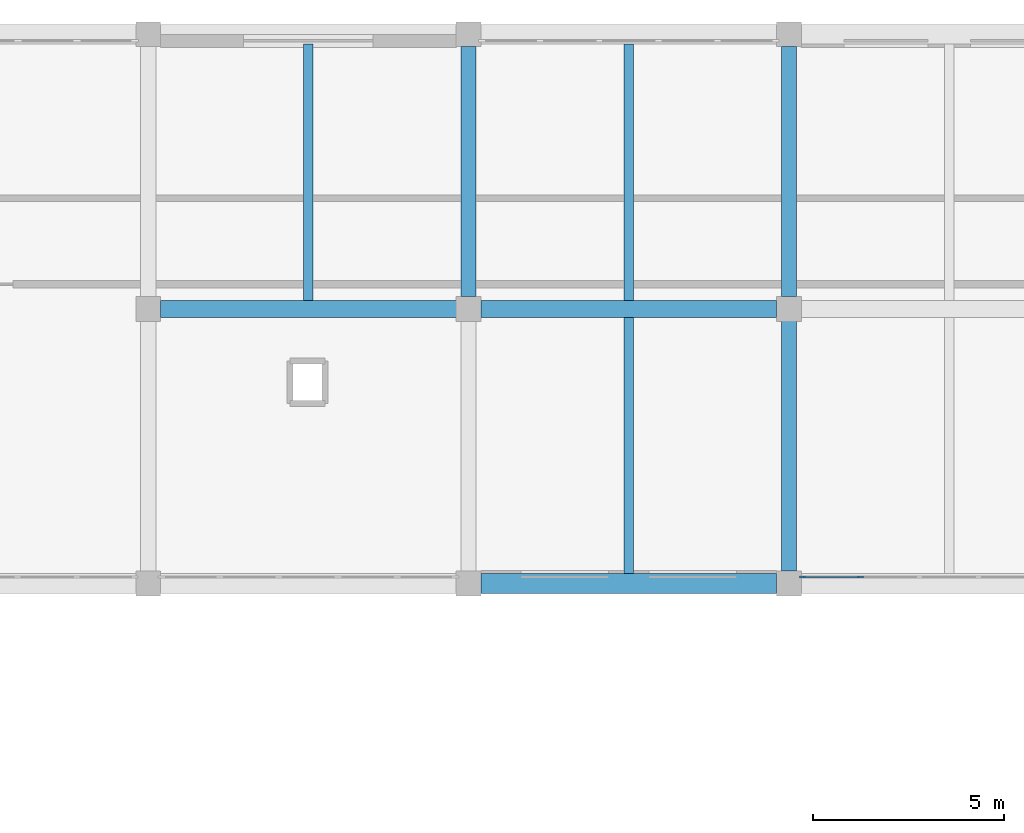
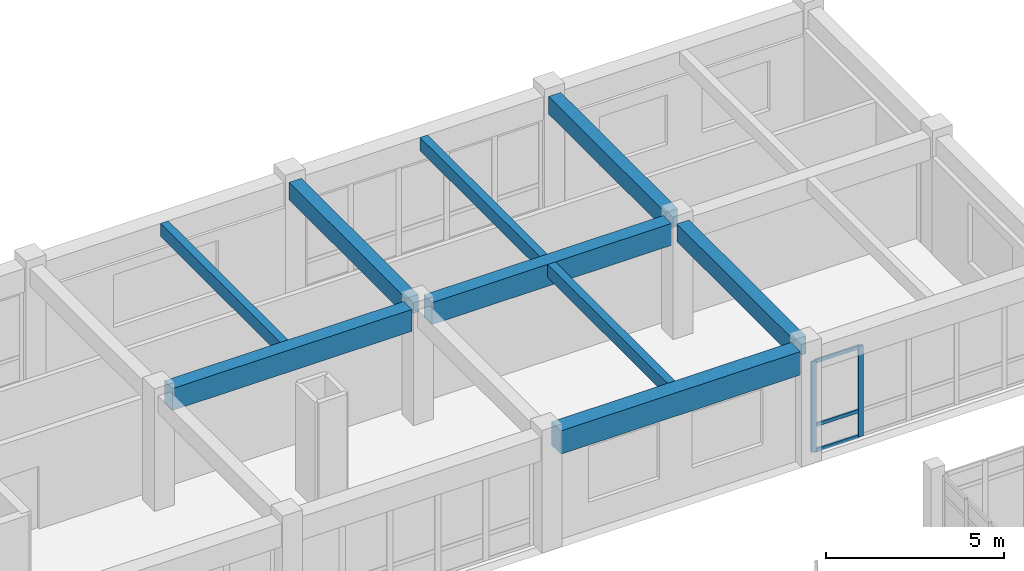
# One storey, part 78 of 147: 9 beams, 5 members, 1 element without a shape of its own.
"""IFC4 building model written with IfcOpenShell, lengths in metres."""

import ifcopenshell
import ifcopenshell.guid

model = None  # the IFC model being written
_history = None  # IfcOwnerHistory: only IFC2X3 demands one
_inside = {}  # id of a spatial element -> (the spatial element, [elements in it])
_under = {}  # id of a project, library or spatial element -> (it, [spatial elements below it])
_declared = {}  # id of a project -> (the project, [libraries it declares])
_typed = {}  # id of a type object -> (the type object, [elements of that type])
_made_of = {}  # id of a material, layer set ... -> (it, [elements and type objects made of it])


def new_model(schema):
    """Start an empty IFC model of exactly this schema.

    Asked for "IFC4X3", IfcOpenShell would pick the latest addendum, in which some entities
    have other attributes; the version numbers below select the first issue.
    IFC2X3 requires an IfcOwnerHistory on every rooted entity: one is made here for all.
    """
    global model, _history
    if schema == "IFC4X3":
        model = ifcopenshell.file(schema_version=(4, 3, 0, 0))
    else:
        model = ifcopenshell.file(schema=schema)
    _inside.clear()
    _under.clear()
    _declared.clear()
    _typed.clear()
    _made_of.clear()
    _history = None
    if model.schema == "IFC2X3":
        org = make("IfcOrganization", Name="unknown")
        user = make(
            "IfcPersonAndOrganization",
            ThePerson=make("IfcPerson", FamilyName="unknown"),
            TheOrganization=org,
        )
        app = make(
            "IfcApplication",
            ApplicationDeveloper=org,
            Version="unknown",
            ApplicationFullName="unknown",
            ApplicationIdentifier="unknown",
        )
        _history = make(
            "IfcOwnerHistory",
            OwningUser=user,
            OwningApplication=app,
            ChangeAction="ADDED",
            CreationDate=0,
        )
    return model


def make(cls, **values):
    """One entity of the class cls with the attributes given. An attribute that is None is left unset."""
    return model.create_entity(
        cls, **{name: value for name, value in values.items() if value is not None}
    )


def rooted(cls, **values):
    """An entity with a GlobalId (a new one), such as an element, a storey or a relation."""
    return make(cls, GlobalId=ifcopenshell.guid.new(), OwnerHistory=_history, **values)


def si_unit(unit_type, name, prefix=None):
    """IfcSIUnit, for example si_unit("LENGTHUNIT", "METRE", prefix="MILLI")."""
    return make("IfcSIUnit", UnitType=unit_type, Prefix=prefix, Name=name)


def assignment(units):
    """IfcUnitAssignment: the units of a project."""
    return None if units is None else make("IfcUnitAssignment", Units=units)


def point(xyz):
    """IfcCartesianPoint."""
    return None if xyz is None else make("IfcCartesianPoint", Coordinates=xyz)


def direction(xyz):
    """IfcDirection."""
    return None if xyz is None else make("IfcDirection", DirectionRatios=xyz)


def frame(location, z_axis=None, x_axis=None):
    """IfcAxis2Placement3D, a coordinate frame: its origin and axes. An axis left out is left unset."""
    return make(
        "IfcAxis2Placement3D",
        Location=point(location),
        Axis=direction(z_axis),
        RefDirection=direction(x_axis),
    )


def frame_2d(location, x_axis=None):
    """IfcAxis2Placement2D, a coordinate frame in the plane: its origin and x axis."""
    return make(
        "IfcAxis2Placement2D", Location=point(location), RefDirection=direction(x_axis)
    )


def origin():
    """The frame at (0, 0, 0) with its axes left unset."""
    return frame((0.0, 0.0, 0.0))


def origin_2d():
    """The frame at (0, 0) in the plane with its x axis left unset."""
    return frame_2d((0.0, 0.0))


def place(relative_to, where):
    """IfcLocalPlacement: puts the frame where relative to a parent placement (None: the world)."""
    return make(
        "IfcLocalPlacement", PlacementRelTo=relative_to, RelativePlacement=where
    )


def context(
    kind, dimensions, precision=None, world=None, true_north=None, identifier=None
):
    """IfcGeometricRepresentationContext, for example the 3D "Model" context."""
    return make(
        "IfcGeometricRepresentationContext",
        ContextIdentifier=identifier,
        ContextType=kind,
        CoordinateSpaceDimension=dimensions,
        Precision=precision,
        WorldCoordinateSystem=world,
        TrueNorth=true_north,
    )


def subcontext(parent, identifier, kind, view, scale=None):
    """IfcGeometricRepresentationSubContext, for example "Body" below "Model"."""
    return make(
        "IfcGeometricRepresentationSubContext",
        ContextIdentifier=identifier,
        ContextType=kind,
        ParentContext=parent,
        TargetScale=scale,
        TargetView=view,
    )


def project(units=None, contexts=None):
    """IfcProject with its units and contexts."""
    return rooted(
        "IfcProject",
        Name="project",
        RepresentationContexts=contexts,
        UnitsInContext=assignment(units),
    )


def spatial(cls, under=None, at=None, **own):
    """A site, building, storey or space (cls), placed at a placement, below another one or the project."""
    s = rooted(cls, ObjectPlacement=at, **own)
    if under is not None:
        _under.setdefault(under.id(), (under, []))[1].append(s)
    return s


def profile(cls, at=None, kind="AREA", **sizes):
    """A parametric profile (cls). Its sizes go by their IFC names, for example OverallWidth=200.0."""
    return make(cls, ProfileType=kind, Position=at, **sizes)


def rectangle(**sizes):
    """IfcRectangleProfileDef."""
    return profile("IfcRectangleProfileDef", **sizes)


def extrude(swept, where, along, depth):
    """IfcExtrudedAreaSolid: the profile swept, set in the frame where, extruded along a direction by depth."""
    return make(
        "IfcExtrudedAreaSolid",
        SweptArea=swept,
        Position=where,
        ExtrudedDirection=direction(along),
        Depth=depth,
    )


def shape(context_of_items, identifier, shape_type, items):
    """IfcShapeRepresentation: the items that make up one representation, for example the "Body"."""
    return make(
        "IfcShapeRepresentation",
        ContextOfItems=context_of_items,
        RepresentationIdentifier=identifier,
        RepresentationType=shape_type,
        Items=items,
    )


def material(Name=None, Category=None):
    """IfcMaterial."""
    return make("IfcMaterial", Name=Name, Category=Category)


def material_profile(
    of_material, cross_section, Name=None, Category=None, Priority=None
):
    """IfcMaterialProfile: a cross section and its material."""
    return make(
        "IfcMaterialProfile",
        Name=Name,
        Material=of_material,
        Profile=cross_section,
        Priority=Priority,
        Category=Category,
    )


def profile_set(profiles, Name=None, composite=None):
    """IfcMaterialProfileSet."""
    return make(
        "IfcMaterialProfileSet",
        Name=Name,
        MaterialProfiles=profiles,
        CompositeProfile=composite,
    )


def made_of(thing, what):
    """Note that an element or type object is made of a material, layer set ...; save() writes the relation."""
    if what is not None:
        _made_of.setdefault(what.id(), (what, []))[1].append(thing)
    return thing


def type_object(cls, material=None, **own):
    """A type object (cls), such as IfcWallType, which elements share."""
    return made_of(rooted(cls, **own), material)


def element(
    cls,
    number,
    at=None,
    inside=None,
    cuts=None,
    type_object=None,
    material=None,
    context=None,
    identifier="Body",
    shape_type=None,
    held_by="IfcProductDefinitionShape",
    body=None,
    shapes=None,
    **own,
):
    """One element of the class cls, such as IfcWall. Its Tag is "e" and its number.

    at: its placement. inside: the storey or other place that contains it. cuts: it is an
    opening in that element (IfcRelVoidsElement). A single representation is given by context,
    identifier, shape_type and body (its items); several are given by shapes. held_by: the class
    of the entity that holds the representations. save() writes the other relations.
    """
    e = rooted(cls, Tag="e%d" % number, ObjectPlacement=at, **own)
    if body is not None:
        shapes = [shape(context, identifier, shape_type, body)]
    if shapes is not None:
        e.Representation = make(held_by, Representations=shapes)
    if inside is not None:
        _inside.setdefault(inside.id(), (inside, []))[1].append(e)
    if cuts is not None:
        rooted(
            "IfcRelVoidsElement", RelatingBuildingElement=cuts, RelatedOpeningElement=e
        )
    if type_object is not None:
        _typed.setdefault(type_object.id(), (type_object, []))[1].append(e)
    return made_of(e, material)


def aggregate(whole, parts):
    """IfcRelAggregates: a whole, such as a stair, and the parts it consists of."""
    return rooted("IfcRelAggregates", RelatingObject=whole, RelatedObjects=parts)


def save(model, path):
    """Write the relations noted so far, then the file.

    IfcRelAggregates (storeys below a building ...), IfcRelContainedInSpatialStructure (elements
    in a storey), IfcRelDefinesByType, IfcRelAssociatesMaterial and IfcRelDeclares: one each for
    every whole, place, type object, material and project.
    """
    for whole, parts in _under.values():
        aggregate(whole, parts)
    for where, things in _inside.values():
        rooted(
            "IfcRelContainedInSpatialStructure",
            RelatedElements=things,
            RelatingStructure=where,
        )
    for kind, things in _typed.values():
        rooted("IfcRelDefinesByType", RelatedObjects=things, RelatingType=kind)
    for what, things in _made_of.values():
        rooted("IfcRelAssociatesMaterial", RelatedObjects=things, RelatingMaterial=what)
    for by, libraries in _declared.values():
        rooted("IfcRelDeclares", RelatingContext=by, RelatedDefinitions=libraries)
    model.write(path)


model = new_model("IFC4")

# Units and contexts
model_context = context("Model", 3, precision=1e-05, world=origin(), true_north=direction((0.0, 1.0)))
body_context = subcontext(model_context, "Body", "Model", "MODEL_VIEW")
ifc_project = project(units=[si_unit("LENGTHUNIT", "METRE"), si_unit("AREAUNIT", "SQUARE_METRE"), si_unit("VOLUMEUNIT", "CUBIC_METRE"), si_unit("PLANEANGLEUNIT", "RADIAN"), si_unit("MASSUNIT", "GRAM", prefix="KILO")], contexts=[model_context])

# Site, building, storey
site_placement = place(None, origin())
site = spatial("IfcSite", under=ifc_project, at=site_placement, CompositionType="ELEMENT")
building_placement = place(site_placement, origin())
building = spatial("IfcBuilding", under=site, at=building_placement, Name="Malvenik Polytechnic", CompositionType="ELEMENT")
storey_placement = place(building_placement, frame((0.0, 0.0, 5.10009765625)))
storey = spatial("IfcBuildingStorey", under=building, at=storey_placement, Name="L01", CompositionType="ELEMENT", Elevation=5.10009765625)

# Curtain wall, members
ifc_material_1 = material(Name="Anodised aluminium 6060-T6", Category="aluminium")
curtain_wall_type = type_object("IfcCurtainWallType", Name="ARC-CW-CW-02", PredefinedType="NOTDEFINED", material=ifc_material_1)
curtain_wall_placement = place(storey_placement, origin())
curtain_wall = element("IfcCurtainWall", 1, at=curtain_wall_placement, inside=storey, type_object=curtain_wall_type, Name="Unitised Curtain Wall CW-02 L01 #53", PredefinedType="NOTDEFINED")
ifc_material_2 = material(Name="Anodised aluminium", Category="aluminium")
ifc_material_profile_1 = material_profile(ifc_material_2, rectangle(XDim=0.06005859375, YDim=0.159912109375, at=origin_2d()), Name="ALU MULLION 60x160")
ifc_profile_set_1 = profile_set([ifc_material_profile_1], Name="Anodised aluminium")
member_type_1 = type_object("IfcMemberType", Name="ARC-CWM-160", PredefinedType="MULLION", material=ifc_profile_set_1)
member_1_placement = place(storey_placement, frame((127.873779296875, 115.3701171875, 0.0), z_axis=(0.0, 0.0, 1.0), x_axis=(0.0, -1.0, 0.0)))
member_1 = element("IfcMember", 2, at=member_1_placement, type_object=member_type_1, Name="CW-02 mullion 5", PredefinedType="MULLION", context=body_context, shape_type="SweptSolid", body=[
    extrude(rectangle(XDim=0.06005859375, YDim=0.159912109375, at=origin_2d()), origin(), (0.0, 0.0, 1.0), 3.10986328125),
])
member_2_placement = place(storey_placement, frame((126.35302734375, 115.3701171875, 0.0), z_axis=(0.0, 0.0, 1.0), x_axis=(0.0, -1.0, 0.0)))
member_2 = element("IfcMember", 3, at=member_2_placement, type_object=member_type_1, Name="CW-02 mullion 6", PredefinedType="MULLION", context=body_context, shape_type="SweptSolid", body=[
    extrude(rectangle(XDim=0.06005859375, YDim=0.159912109375, at=origin_2d()), origin(), (0.0, 0.0, 1.0), 3.10986328125),
])
ifc_material_profile_2 = material_profile(ifc_material_2, rectangle(XDim=0.06005859375, YDim=0.1201171875, at=origin_2d()), Name="ALU TRANSOM 60x120")
ifc_profile_set_2 = profile_set([ifc_material_profile_2], Name="Anodised aluminium")
member_type_2 = type_object("IfcMemberType", Name="ARC-CWT-120", PredefinedType="USERDEFINED", material=ifc_profile_set_2)
member_3_placement = place(storey_placement, frame((127.84375, 115.3701171875, 0.02978515625), z_axis=(-1.0, 0.0, 0.0), x_axis=(0.0, -1.0, 0.0)))
member_3 = element("IfcMember", 4, at=member_3_placement, type_object=member_type_2, Name="CW-02 transom 5.1", ObjectType="TRANSOM", PredefinedType="USERDEFINED", context=body_context, shape_type="SweptSolid", body=[
    extrude(rectangle(XDim=0.06005859375, YDim=0.1201171875, at=origin_2d()), origin(), (0.0, 0.0, 1.0), 1.460693359375),
])
member_4_placement = place(storey_placement, frame((127.84375, 115.3701171875, 0.89990234375), z_axis=(-1.0, 0.0, 0.0), x_axis=(0.0, -1.0, 0.0)))
member_4 = element("IfcMember", 5, at=member_4_placement, type_object=member_type_2, Name="CW-02 transom 5.2", ObjectType="TRANSOM", PredefinedType="USERDEFINED", context=body_context, shape_type="SweptSolid", body=[
    extrude(rectangle(XDim=0.06005859375, YDim=0.1201171875, at=origin_2d()), origin(), (0.0, 0.0, 1.0), 1.460693359375),
])
member_5_placement = place(storey_placement, frame((127.84375, 115.3701171875, 3.079833984375), z_axis=(-1.0, 0.0, 0.0), x_axis=(0.0, -1.0, 0.0)))
member_5 = element("IfcMember", 6, at=member_5_placement, type_object=member_type_2, Name="CW-02 transom 5.3", ObjectType="TRANSOM", PredefinedType="USERDEFINED", context=body_context, shape_type="SweptSolid", body=[
    extrude(rectangle(XDim=0.06005859375, YDim=0.1201171875, at=origin_2d()), origin(), (0.0, 0.0, 1.0), 1.460693359375),
])
aggregate(curtain_wall, [member_1, member_2, member_3, member_4, member_5])

# Beams
ifc_material_3 = material(Name="Concrete C35/45", Category="concrete")
ifc_material_profile_3 = material_profile(ifc_material_3, rectangle(XDim=0.449951171875, YDim=0.75, at=origin_2d()), Name="RC BM 450x750")
ifc_profile_set_3 = profile_set([ifc_material_profile_3], Name="Concrete C35/45")
beam_type_1 = type_object("IfcBeamType", Name="STR-BM-B-03", PredefinedType="BEAM", material=ifc_profile_set_3)
beam_1_placement = place(storey_placement, frame((109.52294921875, 122.39990234375, 3.544921875), z_axis=(1.0, 0.0, 0.0), x_axis=(0.0, 1.0, 0.0)))
element("IfcBeam", 7, at=beam_1_placement, inside=storey, type_object=beam_type_1, Name="Primary Beam B-03 L01 #1108", PredefinedType="BEAM", context=body_context, shape_type="SweptSolid", body=[
    extrude(rectangle(XDim=0.449951171875, YDim=0.75, at=origin_2d()), origin(), (0.0, 0.0, 1.0), 7.754150390625),
])
beam_2_placement = place(storey_placement, frame((117.923095703125, 122.39990234375, 3.544921875), z_axis=(1.0, 0.0, 0.0), x_axis=(0.0, 1.0, 0.0)))
element("IfcBeam", 8, at=beam_2_placement, inside=storey, type_object=beam_type_1, Name="Primary Beam B-03 L01 #1109", PredefinedType="BEAM", context=body_context, shape_type="SweptSolid", body=[
    extrude(rectangle(XDim=0.449951171875, YDim=0.75, at=origin_2d()), origin(), (0.0, 0.0, 1.0), 7.75390625),
])
ifc_material_profile_4 = material_profile(ifc_material_3, rectangle(XDim=0.39990234375, YDim=0.60009765625, at=origin_2d()), Name="RC BM 400x600")
ifc_profile_set_4 = profile_set([ifc_material_profile_4], Name="Concrete C35/45")
beam_type_2 = type_object("IfcBeamType", Name="STR-BM-B-06", PredefinedType="BEAM", material=ifc_profile_set_4)
beam_3_placement = place(storey_placement, frame((117.60009765625, 122.722900390625, 3.619873046875), z_axis=(0.0, 1.0, 0.0), x_axis=(-1.0, 0.0, 0.0)))
element("IfcBeam", 9, at=beam_3_placement, inside=storey, type_object=beam_type_2, Name="Transverse Beam B-06 L01 #1227", PredefinedType="BEAM", context=body_context, shape_type="SweptSolid", body=[
    extrude(rectangle(XDim=0.39990234375, YDim=0.60009765625, at=origin_2d()), origin(), (0.0, 0.0, 1.0), 6.55419921875),
])
beam_4_placement = place(storey_placement, frame((126.0, 115.52294921875, 3.619873046875), z_axis=(0.0, 1.0, 0.0), x_axis=(-1.0, 0.0, 0.0)))
element("IfcBeam", 10, at=beam_4_placement, inside=storey, type_object=beam_type_2, Name="Transverse Beam B-06 L01 #1237", PredefinedType="BEAM", context=body_context, shape_type="SweptSolid", body=[
    extrude(rectangle(XDim=0.39990234375, YDim=0.60009765625, at=origin_2d()), origin(), (0.0, 0.0, 1.0), 6.553955078125),
])
beam_5_placement = place(storey_placement, frame((126.0, 122.722900390625, 3.619873046875), z_axis=(0.0, 1.0, 0.0), x_axis=(-1.0, 0.0, 0.0)))
element("IfcBeam", 11, at=beam_5_placement, inside=storey, type_object=beam_type_2, Name="Transverse Beam B-06 L01 #1238", PredefinedType="BEAM", context=body_context, shape_type="SweptSolid", body=[
    extrude(rectangle(XDim=0.39990234375, YDim=0.60009765625, at=origin_2d()), origin(), (0.0, 0.0, 1.0), 6.55419921875),
])
ifc_material_4 = material(Name="Concrete C30/37", Category="concrete")
ifc_material_profile_5 = material_profile(ifc_material_4, rectangle(XDim=0.25, YDim=0.449951171875, at=origin_2d()), Name="RC JST 250x450")
ifc_profile_set_5 = profile_set([ifc_material_profile_5], Name="Concrete C30/37")
beam_type_3 = type_object("IfcBeamType", Name="STR-BM-J-02", PredefinedType="JOIST", material=ifc_profile_set_5)
for number, where, z_axis, x_axis, name in (
    (12, (113.39990234375, 122.623046875, 3.69482421875), (0.0, 1.0, 0.0), (-1.0, 0.0, 0.0), "Secondary Rib Joist J-02 L01 #1308"),
    (13, (121.800048828125, 115.4580078125, 3.69482421875), (0.0, 1.0, 0.0), (-1.0, 0.0, 0.0), "Secondary Rib Joist J-02 L01 #1318"),
    (14, (121.800048828125, 122.623046875, 3.69482421875), (0.0, 1.0, 0.0), (-1.0, 0.0, 0.0), "Secondary Rib Joist J-02 L01 #1319"),
):
    element("IfcBeam", number, at=place(storey_placement, frame(where, z_axis=z_axis, x_axis=x_axis)), inside=storey, type_object=beam_type_3, Name=name, PredefinedType="JOIST", context=body_context, shape_type="SweptSolid", body=[
        extrude(rectangle(XDim=0.25, YDim=0.449951171875, at=origin_2d()), origin(), (0.0, 0.0, 1.0), 6.718994140625),
    ])
ifc_material_5 = material(Name="Precast concrete C40/50", Category="concrete")
ifc_material_profile_6 = material_profile(ifc_material_5, rectangle(XDim=0.52001953125, YDim=0.800048828125, at=origin_2d()), Name="PC SPN 520x800")
ifc_profile_set_6 = profile_set([ifc_material_profile_6], Name="Precast concrete C40/50")
beam_type_4 = type_object("IfcBeamType", Name="STR-BM-SP-01", PredefinedType="SPANDREL", material=ifc_profile_set_6)
beam_6_placement = place(storey_placement, frame((117.923095703125, 115.199951171875, 3.52001953125), z_axis=(1.0, 0.0, 0.0), x_axis=(0.0, 1.0, 0.0)))
element("IfcBeam", 15, at=beam_6_placement, inside=storey, type_object=beam_type_4, Name="Primary Beam SP-01 L01 #1099", PredefinedType="SPANDREL", context=body_context, shape_type="SweptSolid", body=[
    extrude(rectangle(XDim=0.52001953125, YDim=0.800048828125, at=origin_2d()), origin(), (0.0, 0.0, 1.0), 7.75390625),
])

save(model, "model.ifc")
